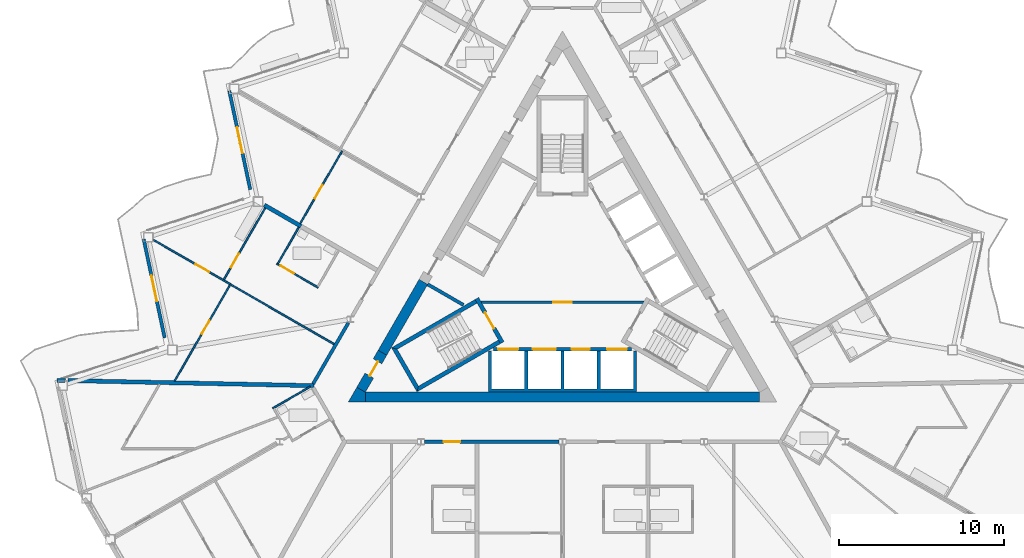
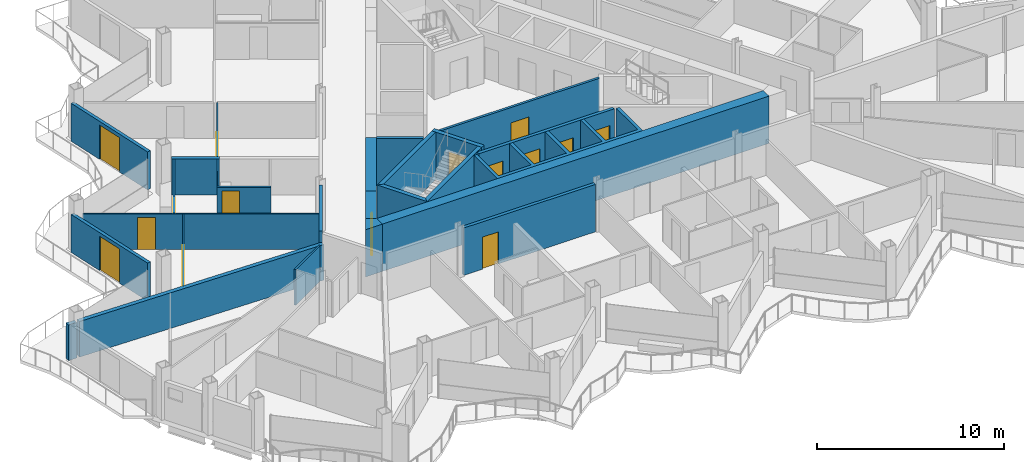
# One storey, part 14 of 27: 26 walls, 15 doors, 15 openings.
"""IFC4 building model written with IfcOpenShell, lengths in metres."""

from ifc_helpers import new_model, si_unit, direction, frame, frame_2d, origin, place, context, subcontext, project, spatial, polyline, rectangle, outline, extrude, material, layer, layer_set, type_object, element, fill, save


model = new_model("IFC4")

# Units and contexts
model_context = context("Model", 3, precision=1e-05, world=origin(), true_north=direction((0.0, 1.0)))
body_context = subcontext(model_context, "Body", "Model", "MODEL_VIEW")
ifc_project = project(units=[si_unit("LENGTHUNIT", "METRE"), si_unit("AREAUNIT", "SQUARE_METRE"), si_unit("VOLUMEUNIT", "CUBIC_METRE"), si_unit("PLANEANGLEUNIT", "RADIAN"), si_unit("MASSUNIT", "GRAM", prefix="KILO")], contexts=[model_context])

# Site, building, storey
site_placement = place(None, origin())
site = spatial("IfcSite", under=ifc_project, at=site_placement, CompositionType="ELEMENT")
building_placement = place(site_placement, origin())
building = spatial("IfcBuilding", under=site, at=building_placement, Name="Cormorant Prow Tower", CompositionType="ELEMENT")
storey_placement = place(building_placement, frame((0.0, 0.0, 312.0)))
storey = spatial("IfcBuildingStorey", under=building, at=storey_placement, Name="L68", CompositionType="ELEMENT", Elevation=312.0)

# Wall, opening, door
ifc_material_1 = material(Name="Gypsum board partition")
ifc_layer_1 = layer(ifc_material_1, 0.14990234375)
ifc_layer_set_1 = layer_set([ifc_layer_1], Name="Gypsum board partition")
wall_type_1 = type_object("IfcWallType", Name="Core partition 150", PredefinedType="PARTITIONING", material=ifc_layer_set_1)
wall_1_placement = place(storey_placement, frame((-4.941162109375, -1.449951171875, 0.0), z_axis=(0.0, 0.0, 1.0), x_axis=(1.0, 0.0, 0.0)))
wall_1 = element("IfcWall", 1, at=wall_1_placement, inside=storey, type_object=wall_type_1, Name="Firefighting lobby partition", PredefinedType="PARTITIONING", context=body_context, shape_type="SweptSolid", body=[
    extrude(rectangle(XDim=9.88232421875, YDim=0.14990234375, at=frame_2d((4.941162109375, 0.0))), origin(), (0.0, 0.0, 1.0), 3.10009765625),
])
opening_1_placement = place(wall_1_placement, frame((4.39111328125, 0.0, 0.0)))
opening_1 = element("IfcOpeningElement", 2, at=opening_1_placement, cuts=wall_1, Name="Opening L68-C11", PredefinedType="OPENING", context=body_context, shape_type="SweptSolid", body=[
    extrude(rectangle(XDim=1.10009765625, YDim=2.10009765625, at=frame_2d((0.550048828125, 1.050048828125))), frame((0.0, 0.0849609375, 0.0), z_axis=(0.0, -1.0, 0.0), x_axis=(1.0, 0.0, 0.0)), (0.0, 0.0, 1.0), 0.169921875),
])
ifc_material_2 = material(Name="Painted steel", Category="steel")
door_type_1 = type_object("IfcDoorType", Name="Firefighting lobby door 1100x2100", OperationType="NOTDEFINED", PredefinedType="DOOR", material=ifc_material_2)
door_1_placement = place(opening_1_placement, origin())
door_1 = element("IfcDoor", 3, at=door_1_placement, inside=storey, type_object=door_type_1, Name="Firefighting lobby door", OperationType="SINGLE_SWING_RIGHT", OverallHeight=2.10009765625, OverallWidth=1.10009765625, PredefinedType="DOOR", context=body_context, shape_type="SweptSolid", body=[
    extrude(rectangle(XDim=1.10009765625, YDim=2.10009765625, at=frame_2d((0.550048828125, 1.050048828125))), frame((0.0, 0.02490234375, 0.0), z_axis=(0.0, -1.0, 0.0), x_axis=(1.0, 0.0, 0.0)), (0.0, 0.0, 1.0), 0.050048828125),
])
fill(opening_1, door_1)

# Walls
ifc_material_3 = material(Name="Concrete 8000 psi", Category="concrete")
ifc_layer_2 = layer(ifc_material_3, 0.60009765625)
ifc_layer_set_2 = layer_set([ifc_layer_2], Name="Concrete 8000 psi")
wall_type_2 = type_object("IfcWallType", Name="Core shear wall 600", PredefinedType="SHEAR", material=ifc_layer_set_2)
wall_2_placement = place(storey_placement, frame((-11.960693359375, -7.20556640625, 0.0), z_axis=(0.0, 0.0, 1.0), x_axis=(1.0, 0.0, 0.0)))
element("IfcWall", 4, at=wall_2_placement, inside=storey, type_object=wall_type_2, Name="Core wall", PredefinedType="SHEAR", context=body_context, shape_type="SweptSolid", body=[
    extrude(rectangle(XDim=23.92138671875, YDim=0.60009765625, at=frame_2d((11.960693359375, 0.0))), origin(), (0.0, 0.0, 1.0), 3.10009765625),
])
wall_3_placement = place(storey_placement, frame((-8.440185546875, -0.207763671875, 0.0), z_axis=(0.0, 0.0, 1.0), x_axis=(-0.500007425856, -0.866021116422, 0.0)))
element("IfcWall", 5, at=wall_3_placement, inside=storey, type_object=wall_type_2, Name="Core wall", PredefinedType="SHEAR", context=body_context, shape_type="SweptSolid", body=[
    extrude(rectangle(XDim=4.96875, YDim=0.60009765625, at=frame_2d((2.484375, 0.0))), origin(), (0.0, 0.0, 1.0), 3.10009765625),
])
wall_4_placement = place(storey_placement, origin())
element("IfcWall", 6, at=wall_4_placement, inside=storey, type_object=wall_type_2, Name="Core wall corner", PredefinedType="SHEAR", context=body_context, shape_type="SweptSolid", body=[
    extrude(outline(polyline([(-12.48046875, -6.605712890625), (-11.960693359375, -6.905517578125), (-11.960693359375, -7.505615234375), (-13.0, -7.505615234375), (-12.48046875, -6.605712890625)])), origin(), (0.0, 0.0, 1.0), 3.10009765625),
])

# Wall, opening, door
wall_5_placement = place(storey_placement, frame((-10.924560546875, -4.5107421875, 0.0), z_axis=(0.0, 0.0, 1.0), x_axis=(-0.500018667571, -0.866014625789, 0.0)))
wall_5 = element("IfcWall", 7, at=wall_5_placement, inside=storey, type_object=wall_type_2, Name="Core wall door panel", PredefinedType="SHEAR", context=body_context, shape_type="SweptSolid", body=[
    extrude(rectangle(XDim=2.59228515625, YDim=0.60009765625, at=frame_2d((1.296142578125, 0.0))), origin(), (0.0, 0.0, 1.0), 3.10009765625),
])
opening_2_placement = place(wall_5_placement, frame((0.60009765625, 0.0, 0.0)))
opening_2 = element("IfcOpeningElement", 8, at=opening_2_placement, cuts=wall_5, Name="Opening L68-C15", PredefinedType="OPENING", context=body_context, shape_type="SweptSolid", body=[
    extrude(rectangle(XDim=1.0, YDim=2.10009765625, at=frame_2d((0.5, 1.050048828125))), frame((0.0, 0.31005859375, 0.0), z_axis=(0.0, -1.0, 0.0), x_axis=(1.0, 0.0, 0.0)), (0.0, 0.0, 1.0), 0.6201171875),
])
ifc_material_4 = material(Name="Painted steel", Category="steel")
door_type_2 = type_object("IfcDoorType", Name="Service door 1000x2100", OperationType="NOTDEFINED", PredefinedType="DOOR", material=ifc_material_4)
door_2_placement = place(opening_2_placement, origin())
door_2 = element("IfcDoor", 9, at=door_2_placement, inside=storey, type_object=door_type_2, Name="Core door, Electrical room", OperationType="SINGLE_SWING_RIGHT", OverallHeight=2.10009765625, OverallWidth=1.0, PredefinedType="DOOR", context=body_context, shape_type="SweptSolid", body=[
    extrude(rectangle(XDim=1.0, YDim=2.10009765625, at=frame_2d((0.5, 1.050048828125))), frame((0.0, 0.05517578125, 0.0), z_axis=(0.0, -1.0, 0.0), x_axis=(1.0, 0.0, 0.0)), (0.0, 0.0, 1.0), 0.050048828125),
])
fill(opening_2, door_2)

ifc_material_5 = material(Name="Gypsum board corridor wall")
ifc_layer_3 = layer(ifc_material_5, 0.199951171875)
ifc_layer_set_3 = layer_set([ifc_layer_3], Name="Gypsum board corridor wall")
wall_type_3 = type_object("IfcWallType", Name="Corridor wall 200", PredefinedType="PARTITIONING", material=ifc_layer_set_3)
wall_6_placement = place(storey_placement, frame((-8.370849609375, -9.905517578125, 0.0), z_axis=(0.0, 0.0, 1.0), x_axis=(1.0, 0.0, 0.0)))
wall_6 = element("IfcWall", 10, at=wall_6_placement, inside=storey, type_object=wall_type_3, Name="Corridor wall", PredefinedType="PARTITIONING", context=body_context, shape_type="SweptSolid", body=[
    extrude(rectangle(XDim=8.1630859375, YDim=0.199951171875, at=frame_2d((4.08154296875, 0.0))), origin(), (0.0, 0.0, 1.0), 3.10009765625),
])
opening_3_placement = place(wall_6_placement, frame((1.15869140625, 0.0, 0.0)))
opening_3 = element("IfcOpeningElement", 11, at=opening_3_placement, cuts=wall_6, Name="Opening L68-F01", PredefinedType="OPENING", context=body_context, shape_type="SweptSolid", body=[
    extrude(rectangle(XDim=1.0, YDim=2.10009765625, at=frame_2d((0.5, 1.050048828125))), frame((0.0, 0.10986328125, 0.0), z_axis=(0.0, -1.0, 0.0), x_axis=(1.0, 0.0, 0.0)), (0.0, 0.0, 1.0), 0.219970703125),
])
ifc_material_6 = material(Name="Timber door leaf", Category="wood")
door_type_3 = type_object("IfcDoorType", Name="Flat or room entrance door 1000x2100", OperationType="NOTDEFINED", PredefinedType="DOOR", material=ifc_material_6)
door_3_placement = place(opening_3_placement, origin())
door_3 = element("IfcDoor", 12, at=door_3_placement, inside=storey, type_object=door_type_3, Name="Living room door", OperationType="SINGLE_SWING_RIGHT", OverallHeight=2.10009765625, OverallWidth=1.0, PredefinedType="DOOR", context=body_context, shape_type="SweptSolid", body=[
    extrude(rectangle(XDim=1.0, YDim=2.10009765625, at=frame_2d((0.5, 1.050048828125))), frame((0.0, 0.02490234375, 0.0), z_axis=(0.0, -1.0, 0.0), x_axis=(1.0, 0.0, 0.0)), (0.0, 0.0, 1.0), 0.050048828125),
])
fill(opening_3, door_3)

# Wall
wall_7_placement = place(storey_placement, frame((-15.13134765625, -6.397216796875, 0.0), z_axis=(0.0, 0.0, 1.0), x_axis=(0.500003406062, 0.866023437285, 0.0)))
element("IfcWall", 13, at=wall_7_placement, inside=storey, type_object=wall_type_3, Name="Corridor wall", PredefinedType="PARTITIONING", context=body_context, shape_type="SweptSolid", body=[
    extrude(rectangle(XDim=4.28759765625, YDim=0.199951171875, at=frame_2d((2.143798828125, 0.0))), origin(), (0.0, 0.0, 1.0), 3.10009765625),
])

# Wall, opening, door
ifc_material_7 = material(Name="Gypsum board partition")
ifc_layer_4 = layer(ifc_material_7, 0.10009765625)
ifc_layer_set_4 = layer_set([ifc_layer_4], Name="Gypsum board partition")
wall_type_4 = type_object("IfcWallType", Name="Internal partition 100", PredefinedType="PARTITIONING", material=ifc_layer_set_4)
wall_8_placement = place(storey_placement, frame((-24.814697265625, 2.33447265625, 0.0), z_axis=(0.0, 0.0, 1.0), x_axis=(0.866024591023, -0.500001407741, 0.0)))
wall_8 = element("IfcWall", 14, at=wall_8_placement, inside=storey, type_object=wall_type_4, Name="Internal partition", PredefinedType="PARTITIONING", context=body_context, shape_type="SweptSolid", body=[
    extrude(rectangle(XDim=12.65185546875, YDim=0.10009765625, at=frame_2d((6.325927734375, 0.0))), origin(), (0.0, 0.0, 1.0), 2.330078125),
])
opening_4_placement = place(wall_8_placement, frame((2.950439453125, 0.0, 0.0)))
opening_4 = element("IfcOpeningElement", 15, at=opening_4_placement, cuts=wall_8, Name="Opening L68-F46", PredefinedType="OPENING", context=body_context, shape_type="SweptSolid", body=[
    extrude(rectangle(XDim=0.949951171875, YDim=2.10009765625, at=frame_2d((0.47509765625, 1.050048828125))), frame((0.0, 0.06005859375, 0.0), z_axis=(0.0, -1.0, 0.0), x_axis=(1.0, 0.0, 0.0)), (0.0, 0.0, 1.0), 0.1201171875),
])
ifc_material_8 = material(Name="Timber door leaf", Category="wood")
door_type_4 = type_object("IfcDoorType", Name="Bathroom door 950x2100", OperationType="NOTDEFINED", PredefinedType="DOOR", material=ifc_material_8)
door_4_placement = place(opening_4_placement, origin())
door_4 = element("IfcDoor", 16, at=door_4_placement, inside=storey, type_object=door_type_4, Name="Kitchen door", OperationType="SINGLE_SWING_RIGHT", OverallHeight=2.10009765625, OverallWidth=0.949951171875, PredefinedType="DOOR", context=body_context, shape_type="SweptSolid", body=[
    extrude(rectangle(XDim=0.949951171875, YDim=2.10009765625, at=frame_2d((0.47509765625, 1.050048828125))), frame((0.0, 0.02490234375, 0.0), z_axis=(0.0, -1.0, 0.0), x_axis=(1.0, 0.0, 0.0)), (0.0, 0.0, 1.0), 0.050048828125),
])
fill(opening_4, door_4)

wall_9_placement = place(storey_placement, frame((-23.5361328125, -6.2236328125, 0.0), z_axis=(0.0, 0.0, 1.0), x_axis=(0.500002256251, 0.866024101133, 0.0)))
wall_9 = element("IfcWall", 17, at=wall_9_placement, inside=storey, type_object=wall_type_4, Name="Internal partition", PredefinedType="PARTITIONING", context=body_context, shape_type="SweptSolid", body=[
    extrude(rectangle(XDim=6.72216796875, YDim=0.10009765625, at=frame_2d((3.361083984375, 0.0))), origin(), (0.0, 0.0, 1.0), 2.330078125),
])
opening_5_placement = place(wall_9_placement, frame((3.291748046875, 0.0, 0.0)))
opening_5 = element("IfcOpeningElement", 18, at=opening_5_placement, cuts=wall_9, Name="Opening L68-F47", PredefinedType="OPENING", context=body_context, shape_type="SweptSolid", body=[
    extrude(rectangle(XDim=0.949951171875, YDim=2.10009765625, at=frame_2d((0.47509765625, 1.050048828125))), frame((0.0, 0.06005859375, 0.0), z_axis=(0.0, -1.0, 0.0), x_axis=(1.0, 0.0, 0.0)), (0.0, 0.0, 1.0), 0.1201171875),
])
door_5_placement = place(opening_5_placement, origin())
door_5 = element("IfcDoor", 19, at=door_5_placement, inside=storey, type_object=door_type_4, Name="Bedroom door", OperationType="SINGLE_SWING_LEFT", OverallHeight=2.10009765625, OverallWidth=0.949951171875, PredefinedType="DOOR", context=body_context, shape_type="SweptSolid", body=[
    extrude(rectangle(XDim=0.949951171875, YDim=2.10009765625, at=frame_2d((0.47509765625, 1.050048828125))), frame((0.0, 0.02490234375, 0.0), z_axis=(0.0, -1.0, 0.0), x_axis=(1.0, 0.0, 0.0)), (0.0, 0.0, 1.0), 0.050048828125),
])
fill(opening_5, door_5)

wall_10_placement = place(storey_placement, frame((-15.91162109375, 3.334716796875, 0.0), z_axis=(0.0, 0.0, 1.0), x_axis=(0.49999906822, 0.866025941747, 0.0)))
wall_10 = element("IfcWall", 20, at=wall_10_placement, inside=storey, type_object=wall_type_4, Name="Internal partition", PredefinedType="PARTITIONING", context=body_context, shape_type="SweptSolid", body=[
    extrude(rectangle(XDim=5.06787109375, YDim=0.10009765625, at=frame_2d((2.533935546875, 0.0))), origin(), (0.0, 0.0, 1.0), 2.330078125),
])
opening_6_placement = place(wall_10_placement, frame((1.75732421875, 0.0, 0.0)))
opening_6 = element("IfcOpeningElement", 21, at=opening_6_placement, cuts=wall_10, Name="Opening L68-F41", PredefinedType="OPENING", context=body_context, shape_type="SweptSolid", body=[
    extrude(rectangle(XDim=0.949951171875, YDim=2.10009765625, at=frame_2d((0.47509765625, 1.050048828125))), frame((0.0, 0.06005859375, 0.0), z_axis=(0.0, -1.0, 0.0), x_axis=(1.0, 0.0, 0.0)), (0.0, 0.0, 1.0), 0.1201171875),
])
door_6_placement = place(opening_6_placement, origin())
door_6 = element("IfcDoor", 22, at=door_6_placement, inside=storey, type_object=door_type_4, Name="Bedroom door", OperationType="SINGLE_SWING_RIGHT", OverallHeight=2.10009765625, OverallWidth=0.949951171875, PredefinedType="DOOR", context=body_context, shape_type="SweptSolid", body=[
    extrude(rectangle(XDim=0.949951171875, YDim=2.10009765625, at=frame_2d((0.47509765625, 1.050048828125))), frame((0.0, 0.02490234375, 0.0), z_axis=(0.0, -1.0, 0.0), x_axis=(1.0, 0.0, 0.0)), (0.0, 0.0, 1.0), 0.050048828125),
])
fill(opening_6, door_6)

wall_11_placement = place(storey_placement, frame((-20.546630859375, -0.072021484375, 0.0), z_axis=(0.0, 0.0, 1.0), x_axis=(0.499969537666, 0.866042990507, 0.0)))
wall_11 = element("IfcWall", 23, at=wall_11_placement, inside=storey, type_object=wall_type_4, Name="Internal partition", PredefinedType="PARTITIONING", context=body_context, shape_type="SweptSolid", body=[
    extrude(rectangle(XDim=5.017822265625, YDim=0.10009765625, at=frame_2d((2.5087890625, 0.0))), origin(), (0.0, 0.0, 1.0), 2.330078125),
])
opening_7_placement = place(wall_11_placement, frame((0.861572265625, 0.0, 0.0)))
opening_7 = element("IfcOpeningElement", 24, at=opening_7_placement, cuts=wall_11, Name="Opening L68-F45", PredefinedType="OPENING", context=body_context, shape_type="SweptSolid", body=[
    extrude(rectangle(XDim=0.949951171875, YDim=2.10009765625, at=frame_2d((0.47509765625, 1.050048828125))), frame((0.0, 0.06005859375, 0.0), z_axis=(0.0, -1.0, 0.0), x_axis=(1.0, 0.0, 0.0)), (0.0, 0.0, 1.0), 0.1201171875),
])
door_7_placement = place(opening_7_placement, origin())
door_7 = element("IfcDoor", 25, at=door_7_placement, inside=storey, type_object=door_type_4, Name="Living room door", OperationType="SINGLE_SWING_LEFT", OverallHeight=2.10009765625, OverallWidth=0.949951171875, PredefinedType="DOOR", context=body_context, shape_type="SweptSolid", body=[
    extrude(rectangle(XDim=0.949951171875, YDim=2.10009765625, at=frame_2d((0.47509765625, 1.050048828125))), frame((0.0, 0.02490234375, 0.0), z_axis=(0.0, -1.0, 0.0), x_axis=(1.0, 0.0, 0.0)), (0.0, 0.0, 1.0), 0.050048828125),
])
fill(opening_7, door_7)

wall_12_placement = place(storey_placement, frame((-17.331298828125, 0.892333984375, 0.0), z_axis=(0.0, 0.0, 1.0), x_axis=(0.866032775405, -0.499987231761, 0.0)))
wall_12 = element("IfcWall", 26, at=wall_12_placement, inside=storey, type_object=wall_type_4, Name="Internal partition", PredefinedType="PARTITIONING", context=body_context, shape_type="SweptSolid", body=[
    extrude(rectangle(XDim=2.89990234375, YDim=0.10009765625, at=frame_2d((1.449951171875, 0.0))), origin(), (0.0, 0.0, 1.0), 2.330078125),
])
opening_8_placement = place(wall_12_placement, frame((0.25, 0.0, 0.0)))
opening_8 = element("IfcOpeningElement", 27, at=opening_8_placement, cuts=wall_12, Name="Opening L68-F44", PredefinedType="OPENING", context=body_context, shape_type="SweptSolid", body=[
    extrude(rectangle(XDim=0.949951171875, YDim=2.10009765625, at=frame_2d((0.47509765625, 1.050048828125))), frame((0.0, 0.06005859375, 0.0), z_axis=(0.0, -1.0, 0.0), x_axis=(1.0, 0.0, 0.0)), (0.0, 0.0, 1.0), 0.1201171875),
])
door_8_placement = place(opening_8_placement, origin())
door_8 = element("IfcDoor", 28, at=door_8_placement, inside=storey, type_object=door_type_4, Name="Living room door", OperationType="SINGLE_SWING_LEFT", OverallHeight=2.10009765625, OverallWidth=0.949951171875, PredefinedType="DOOR", context=body_context, shape_type="SweptSolid", body=[
    extrude(rectangle(XDim=0.949951171875, YDim=2.10009765625, at=frame_2d((0.47509765625, 1.050048828125))), frame((0.0, 0.02490234375, 0.0), z_axis=(0.0, -1.0, 0.0), x_axis=(1.0, 0.0, 0.0)), (0.0, 0.0, 1.0), 0.050048828125),
])
fill(opening_8, door_8)

# Walls
wall_13_placement = place(storey_placement, frame((-17.262939453125, 0.91064453125, 0.0), z_axis=(0.0, 0.0, 1.0), x_axis=(0.499976333282, 0.866039067339, 0.0)))
element("IfcWall", 29, at=wall_13_placement, inside=storey, type_object=wall_type_4, Name="Internal partition", PredefinedType="PARTITIONING", context=body_context, shape_type="SweptSolid", body=[
    extrude(rectangle(XDim=2.52490234375, YDim=0.10009765625, at=frame_2d((1.262451171875, 0.0))), origin(), (0.0, 0.0, 1.0), 2.330078125),
])
wall_14_placement = place(storey_placement, frame((-17.575439453125, -7.880615234375, 0.0), z_axis=(0.0, 0.0, 1.0), x_axis=(0.866013657776, 0.500020344131, 0.0)))
element("IfcWall", 30, at=wall_14_placement, inside=storey, type_object=wall_type_4, Name="Internal partition", PredefinedType="PARTITIONING", context=body_context, shape_type="SweptSolid", body=[
    extrude(rectangle(XDim=2.625, YDim=0.10009765625, at=frame_2d((1.3125, 0.0))), origin(), (0.0, 0.0, 1.0), 2.330078125),
])

# Wall, openings, doors
ifc_material_9 = material(Name="Concrete 5000 psi", Category="concrete")
ifc_layer_5 = layer(ifc_material_9, 0.199951171875)
ifc_layer_set_5 = layer_set([ifc_layer_5], Name="Concrete 5000 psi")
wall_type_5 = type_object("IfcWallType", Name="Lift lobby wall 200", PredefinedType="SOLIDWALL", material=ifc_layer_set_5)
wall_15_placement = place(storey_placement, frame((-4.1865234375, -4.300048828125, 0.0), z_axis=(0.0, 0.0, 1.0), x_axis=(1.0, 0.0, 0.0)))
wall_15 = element("IfcWall", 31, at=wall_15_placement, inside=storey, type_object=wall_type_5, Name="Lift lobby wall, S block", PredefinedType="SOLIDWALL", context=body_context, shape_type="SweptSolid", body=[
    extrude(rectangle(XDim=8.373046875, YDim=0.199951171875, at=frame_2d((4.1865234375, 0.0))), origin(), (0.0, 0.0, 1.0), 3.10009765625),
])
opening_9_placement = place(wall_15_placement, frame((0.28662109375, 0.0, 0.0)))
opening_9 = element("IfcOpeningElement", 32, at=opening_9_placement, cuts=wall_15, Name="Opening L68-C01", PredefinedType="OPENING", context=body_context, shape_type="SweptSolid", body=[
    extrude(rectangle(XDim=1.199951171875, YDim=2.10009765625, at=frame_2d((0.60009765625, 1.050048828125))), frame((0.0, 0.10986328125, 0.0), z_axis=(0.0, -1.0, 0.0), x_axis=(1.0, 0.0, 0.0)), (0.0, 0.0, 1.0), 0.219970703125),
])
opening_10_placement = place(wall_15_placement, frame((2.38671875, 0.0, 0.0)))
opening_10 = element("IfcOpeningElement", 33, at=opening_10_placement, cuts=wall_15, Name="Opening L68-C02", PredefinedType="OPENING", context=body_context, shape_type="SweptSolid", body=[
    extrude(rectangle(XDim=1.39990234375, YDim=2.10009765625, at=frame_2d((0.699951171875, 1.050048828125))), frame((0.0, 0.10986328125, 0.0), z_axis=(0.0, -1.0, 0.0), x_axis=(1.0, 0.0, 0.0)), (0.0, 0.0, 1.0), 0.219970703125),
])
opening_11_placement = place(wall_15_placement, frame((4.736572265625, 0.0, 0.0)))
opening_11 = element("IfcOpeningElement", 34, at=opening_11_placement, cuts=wall_15, Name="Opening L68-C03", PredefinedType="OPENING", context=body_context, shape_type="SweptSolid", body=[
    extrude(rectangle(XDim=1.10009765625, YDim=2.10009765625, at=frame_2d((0.550048828125, 1.050048828125))), frame((0.0, 0.10986328125, 0.0), z_axis=(0.0, -1.0, 0.0), x_axis=(1.0, 0.0, 0.0)), (0.0, 0.0, 1.0), 0.219970703125),
])
opening_12_placement = place(wall_15_placement, frame((6.88671875, 0.0, 0.0)))
opening_12 = element("IfcOpeningElement", 35, at=opening_12_placement, cuts=wall_15, Name="Opening L68-C04", PredefinedType="OPENING", context=body_context, shape_type="SweptSolid", body=[
    extrude(rectangle(XDim=1.199951171875, YDim=2.10009765625, at=frame_2d((0.60009765625, 1.050048828125))), frame((0.0, 0.10986328125, 0.0), z_axis=(0.0, -1.0, 0.0), x_axis=(1.0, 0.0, 0.0)), (0.0, 0.0, 1.0), 0.219970703125),
])
ifc_material_10 = material(Name="Painted steel", Category="steel")
door_type_5 = type_object("IfcDoorType", Name="Firefighting lift landing door 1200x2100", OperationType="SLIDING_TO_LEFT", PredefinedType="DOOR", material=ifc_material_10)
door_9_placement = place(opening_9_placement, origin())
door_9 = element("IfcDoor", 36, at=door_9_placement, inside=storey, type_object=door_type_5, Name="Landing door FL1", OperationType="SLIDING_TO_LEFT", OverallHeight=2.10009765625, OverallWidth=1.199951171875, PredefinedType="DOOR", context=body_context, shape_type="SweptSolid", body=[
    extrude(rectangle(XDim=1.199951171875, YDim=2.10009765625, at=frame_2d((0.60009765625, 1.050048828125))), frame((0.0, 0.02490234375, 0.0), z_axis=(0.0, -1.0, 0.0), x_axis=(1.0, 0.0, 0.0)), (0.0, 0.0, 1.0), 0.050048828125),
])
fill(opening_9, door_9)
door_10_placement = place(opening_12_placement, origin())
door_10 = element("IfcDoor", 37, at=door_10_placement, inside=storey, type_object=door_type_5, Name="Landing door FL2", OperationType="SLIDING_TO_LEFT", OverallHeight=2.10009765625, OverallWidth=1.199951171875, PredefinedType="DOOR", context=body_context, shape_type="SweptSolid", body=[
    extrude(rectangle(XDim=1.199951171875, YDim=2.10009765625, at=frame_2d((0.60009765625, 1.050048828125))), frame((0.0, 0.02490234375, 0.0), z_axis=(0.0, -1.0, 0.0), x_axis=(1.0, 0.0, 0.0)), (0.0, 0.0, 1.0), 0.050048828125),
])
fill(opening_12, door_10)
ifc_material_11 = material(Name="Painted steel", Category="steel")
door_type_6 = type_object("IfcDoorType", Name="Lift landing door 1100x2100", OperationType="SLIDING_TO_LEFT", PredefinedType="DOOR", material=ifc_material_11)
door_11_placement = place(opening_11_placement, origin())
door_11 = element("IfcDoor", 38, at=door_11_placement, inside=storey, type_object=door_type_6, Name="Landing door HR1", OperationType="SLIDING_TO_LEFT", OverallHeight=2.10009765625, OverallWidth=1.10009765625, PredefinedType="DOOR", context=body_context, shape_type="SweptSolid", body=[
    extrude(rectangle(XDim=1.10009765625, YDim=2.10009765625, at=frame_2d((0.550048828125, 1.050048828125))), frame((0.0, 0.02490234375, 0.0), z_axis=(0.0, -1.0, 0.0), x_axis=(1.0, 0.0, 0.0)), (0.0, 0.0, 1.0), 0.050048828125),
])
fill(opening_11, door_11)
ifc_material_12 = material(Name="Painted steel", Category="steel")
door_type_7 = type_object("IfcDoorType", Name="Service lift landing door 1400x2100", OperationType="SLIDING_TO_LEFT", PredefinedType="DOOR", material=ifc_material_12)
door_12_placement = place(opening_10_placement, origin())
door_12 = element("IfcDoor", 39, at=door_12_placement, inside=storey, type_object=door_type_7, Name="Landing door SL1", OperationType="SLIDING_TO_LEFT", OverallHeight=2.10009765625, OverallWidth=1.39990234375, PredefinedType="DOOR", context=body_context, shape_type="SweptSolid", body=[
    extrude(rectangle(XDim=1.39990234375, YDim=2.10009765625, at=frame_2d((0.699951171875, 1.050048828125))), frame((0.0, 0.02490234375, 0.0), z_axis=(0.0, -1.0, 0.0), x_axis=(1.0, 0.0, 0.0)), (0.0, 0.0, 1.0), 0.050048828125),
])
fill(opening_10, door_12)

# Walls
ifc_material_13 = material(Name="Concrete 8000 psi", Category="concrete")
ifc_layer_6 = layer(ifc_material_13, 0.199951171875)
ifc_layer_set_6 = layer_set([ifc_layer_6], Name="Concrete 8000 psi")
wall_type_6 = type_object("IfcWallType", Name="Lift shaft wall 200", PredefinedType="SHEAR", material=ifc_layer_set_6)
wall_16_placement = place(storey_placement, origin())
element("IfcWall", 40, at=wall_16_placement, inside=storey, type_object=wall_type_6, Name="Lift shaft walls, S block", PredefinedType="SHEAR", context=body_context, shape_type="SweptSolid", body=[
    extrude(outline(polyline([(4.5, -4.39990234375), (4.5, -6.906005859375), (-4.5, -6.906005859375), (-4.5, -4.39990234375), (-4.300048828125, -4.39990234375), (-4.300048828125, -6.699951171875), (-2.300048828125, -6.699951171875), (-2.300048828125, -4.39990234375), (-2.10009765625, -4.39990234375), (-2.10009765625, -6.699951171875), (-0.10009765625, -6.699951171875), (-0.10009765625, -4.39990234375), (0.10009765625, -4.39990234375), (0.10009765625, -6.699951171875), (2.10009765625, -6.699951171875), (2.10009765625, -4.39990234375), (2.300048828125, -4.39990234375), (2.300048828125, -6.699951171875), (4.300048828125, -6.699951171875), (4.300048828125, -4.39990234375), (4.5, -4.39990234375)])), origin(), (0.0, 0.0, 1.0), 3.10009765625),
])
wall_17_placement = place(storey_placement, origin())
element("IfcWall", 41, at=wall_17_placement, inside=storey, type_object=wall_type_6, Name="Lift shaft walls, WNW block", PredefinedType="SHEAR", context=body_context, shape_type="SweptSolid", body=[
    extrude(outline(polyline([(-6.060546875, -1.697021484375), (-8.230712890625, -0.444091796875), (-8.130859375, -0.27099609375), (-5.96044921875, -1.52392578125), (-6.060546875, -1.697021484375)])), origin(), (0.0, 0.0, 1.0), 3.10009765625),
])
ifc_material_14 = material(Name="Concrete 8000 psi", Category="concrete")
ifc_layer_7 = layer(ifc_material_14, 0.25)
ifc_layer_set_7 = layer_set([ifc_layer_7], Name="Concrete 8000 psi")
wall_type_7 = type_object("IfcWallType", Name="Stair wall 250", PredefinedType="SHEAR", material=ifc_layer_set_7)
wall_18_placement = place(storey_placement, origin())
element("IfcWall", 42, at=wall_18_placement, inside=storey, type_object=wall_type_7, Name="Stair ST1 enclosure wall (flank)", PredefinedType="SHEAR", context=body_context, shape_type="SweptSolid", body=[
    extrude(outline(polyline([(-5.30712890625, -1.28125), (-10.37353515625, -4.206298828125), (-10.031982421875, -4.2978515625), (-5.18212890625, -1.497802734375), (-5.30712890625, -1.28125)])), origin(), (0.0, 0.0, 1.0), 3.10009765625),
])
wall_19_placement = place(storey_placement, origin())
element("IfcWall", 43, at=wall_19_placement, inside=storey, type_object=wall_type_7, Name="Stair ST1 enclosure wall (end)", PredefinedType="SHEAR", context=body_context, shape_type="SweptSolid", body=[
    extrude(outline(polyline([(-10.37353515625, -4.206298828125), (-8.82958984375, -6.880615234375), (-8.738037109375, -6.5390625), (-10.031982421875, -4.2978515625), (-10.37353515625, -4.206298828125)])), origin(), (0.0, 0.0, 1.0), 3.10009765625),
])
wall_20_placement = place(storey_placement, origin())
element("IfcWall", 44, at=wall_20_placement, inside=storey, type_object=wall_type_7, Name="Stair ST1 enclosure wall (flank)", PredefinedType="SHEAR", context=body_context, shape_type="SweptSolid", body=[
    extrude(outline(polyline([(-8.738037109375, -6.5390625), (-8.82958984375, -6.880615234375), (-3.76318359375, -3.95556640625), (-3.88818359375, -3.739013671875), (-8.738037109375, -6.5390625)])), origin(), (0.0, 0.0, 1.0), 3.10009765625),
])

# Wall, opening, door
wall_21_placement = place(storey_placement, frame((-5.198974609375, -1.21875, 0.0), z_axis=(0.0, 0.0, 1.0), x_axis=(0.499982516597, -0.866035497597, 0.0)))
wall_21 = element("IfcWall", 45, at=wall_21_placement, inside=storey, type_object=wall_type_7, Name="Stair ST1 door wall", PredefinedType="SHEAR", context=body_context, shape_type="SweptSolid", body=[
    extrude(rectangle(XDim=3.087890625, YDim=0.25, at=frame_2d((1.5439453125, 0.0))), origin(), (0.0, 0.0, 1.0), 3.10009765625),
])
opening_13_placement = place(wall_21_placement, frame((0.993896484375, 0.0, 0.0)))
opening_13 = element("IfcOpeningElement", 46, at=opening_13_placement, cuts=wall_21, Name="Opening L68-C12", PredefinedType="OPENING", context=body_context, shape_type="SweptSolid", body=[
    extrude(rectangle(XDim=1.10009765625, YDim=2.10009765625, at=frame_2d((0.550048828125, 1.050048828125))), frame((0.0, 0.135009765625, 0.0), z_axis=(0.0, -1.0, 0.0), x_axis=(1.0, 0.0, 0.0)), (0.0, 0.0, 1.0), 0.27001953125),
])
ifc_material_15 = material(Name="Painted steel", Category="steel")
door_type_8 = type_object("IfcDoorType", Name="Stair door 1100x2100", OperationType="NOTDEFINED", PredefinedType="DOOR", material=ifc_material_15)
door_13_placement = place(opening_13_placement, origin())
door_13 = element("IfcDoor", 47, at=door_13_placement, inside=storey, type_object=door_type_8, Name="Stair ST1 door", OperationType="SINGLE_SWING_LEFT", OverallHeight=2.10009765625, OverallWidth=1.10009765625, PredefinedType="DOOR", context=body_context, shape_type="SweptSolid", body=[
    extrude(rectangle(XDim=1.10009765625, YDim=2.10009765625, at=frame_2d((0.550048828125, 1.050048828125))), frame((0.0, 0.02490234375, 0.0), z_axis=(0.0, -1.0, 0.0), x_axis=(1.0, 0.0, 0.0)), (0.0, 0.0, 1.0), 0.050048828125),
])
fill(opening_13, door_13)

# Walls
ifc_material_16 = material(Name="Acoustic gypsum party wall")
ifc_layer_8 = layer(ifc_material_16, 0.25)
ifc_layer_set_8 = layer_set([ifc_layer_8], Name="Acoustic gypsum party wall")
wall_type_8 = type_object("IfcWallType", Name="Suite party wall 250", PredefinedType="PARTITIONING", material=ifc_layer_set_8)
wall_22_placement = place(storey_placement, frame((-30.016357421875, -6.19921875, 0.0), z_axis=(0.0, 0.0, 1.0), x_axis=(0.999786619639, -0.02065708573, 0.0)))
element("IfcWall", 48, at=wall_22_placement, inside=storey, type_object=wall_type_8, Name="Suite party wall", PredefinedType="PARTITIONING", context=body_context, shape_type="SweptSolid", body=[
    extrude(rectangle(XDim=14.95068359375, YDim=0.25, at=frame_2d((7.475341796875, 0.0))), origin(), (0.0, 0.0, 1.0), 2.330078125),
])
wall_23_placement = place(storey_placement, frame((-18.09228515625, 4.449462890625, 0.0), z_axis=(0.0, 0.0, 1.0), x_axis=(0.866043267704, -0.499969057507, 0.0)))
element("IfcWall", 49, at=wall_23_placement, inside=storey, type_object=wall_type_8, Name="Suite party wall", PredefinedType="PARTITIONING", context=body_context, shape_type="SweptSolid", body=[
    extrude(rectangle(XDim=2.571044921875, YDim=0.25, at=frame_2d((1.28564453125, 0.0))), origin(), (0.0, 0.0, 1.0), 2.330078125),
])
wall_24_placement = place(storey_placement, frame((-30.6806640625, -6.185546875, 0.0), z_axis=(0.0, 0.0, 1.0), x_axis=(0.999788216533, -0.020579652135, 0.0)))
element("IfcWall", 50, at=wall_24_placement, inside=storey, type_object=wall_type_8, Name="Suite party wall", PredefinedType="PARTITIONING", context=body_context, shape_type="SweptSolid", body=[
    extrude(rectangle(XDim=0.510009765625, YDim=0.25, at=frame_2d((0.2548828125, 0.0))), origin(), (0.0, 0.0, 1.0), 2.330078125),
])

# Wall, opening, door
ifc_material_17 = material(Name="Terracotta", Category="masonry")
ifc_layer_9 = layer(ifc_material_17, 0.199951171875)
ifc_layer_set_9 = layer_set([ifc_layer_9], Name="Terracotta")
wall_type_9 = type_object("IfcWallType", Name="Terracotta jamb wall 200", PredefinedType="SOLIDWALL", material=ifc_layer_set_9)
wall_25_placement = place(storey_placement, frame((-20.21728515625, 11.37744140625, 0.0), z_axis=(0.0, 0.0, 1.0), x_axis=(0.207885951908, -0.978153071354, 0.0)))
wall_25 = element("IfcWall", 51, at=wall_25_placement, inside=storey, type_object=wall_type_9, Name="Terracotta jamb wall WNW05", PredefinedType="SOLIDWALL", context=body_context, shape_type="SweptSolid", body=[
    extrude(rectangle(XDim=6.119873046875, YDim=0.199951171875, at=frame_2d((3.06005859375, 0.0))), origin(), (0.0, 0.0, 1.0), 2.48779296875),
])
opening_14_placement = place(wall_25_placement, frame((2.259765625, 0.0, 0.0)))
opening_14 = element("IfcOpeningElement", 52, at=opening_14_placement, cuts=wall_25, Name="Opening ED68.13", PredefinedType="OPENING", context=body_context, shape_type="SweptSolid", body=[
    extrude(rectangle(XDim=1.60009765625, YDim=2.25, at=frame_2d((0.800048828125, 1.125))), frame((0.0, 0.10986328125, 0.0), z_axis=(0.0, -1.0, 0.0), x_axis=(1.0, 0.0, 0.0)), (0.0, 0.0, 1.0), 0.219970703125),
])
ifc_material_18 = material(Name="Aluminium 6063-T6", Category="aluminium")
door_type_9 = type_object("IfcDoorType", Name="Balcony door 1600x2250", OperationType="DOUBLE_DOOR_SINGLE_SWING", PredefinedType="DOOR", material=ifc_material_18)
door_14_placement = place(opening_14_placement, origin())
door_14 = element("IfcDoor", 53, at=door_14_placement, inside=storey, type_object=door_type_9, Name="Balcony door WNW05 ED68.13", OperationType="DOUBLE_DOOR_SINGLE_SWING", OverallHeight=2.25, OverallWidth=1.60009765625, PredefinedType="DOOR", context=body_context, shape_type="SweptSolid", body=[
    extrude(rectangle(XDim=1.60009765625, YDim=2.25, at=frame_2d((0.800048828125, 1.125))), frame((0.0, 0.02490234375, 0.0), z_axis=(0.0, -1.0, 0.0), x_axis=(1.0, 0.0, 0.0)), (0.0, 0.0, 1.0), 0.050048828125),
])
fill(opening_14, door_14)

wall_26_placement = place(storey_placement, frame((-25.41015625, 2.383056640625, 0.0), z_axis=(0.0, 0.0, 1.0), x_axis=(0.207894064368, -0.978151347185, 0.0)))
wall_26 = element("IfcWall", 54, at=wall_26_placement, inside=storey, type_object=wall_type_9, Name="Terracotta jamb wall WNW07", PredefinedType="SOLIDWALL", context=body_context, shape_type="SweptSolid", body=[
    extrude(rectangle(XDim=6.11962890625, YDim=0.199951171875, at=frame_2d((3.059814453125, 0.0))), origin(), (0.0, 0.0, 1.0), 2.48779296875),
])
opening_15_placement = place(wall_26_placement, frame((2.259765625, 0.0, 0.0)))
opening_15 = element("IfcOpeningElement", 55, at=opening_15_placement, cuts=wall_26, Name="Opening ED68.14", PredefinedType="OPENING", context=body_context, shape_type="SweptSolid", body=[
    extrude(rectangle(XDim=1.60009765625, YDim=2.25, at=frame_2d((0.800048828125, 1.125))), frame((0.0, 0.10986328125, 0.0), z_axis=(0.0, -1.0, 0.0), x_axis=(1.0, 0.0, 0.0)), (0.0, 0.0, 1.0), 0.219970703125),
])
door_15_placement = place(opening_15_placement, origin())
door_15 = element("IfcDoor", 56, at=door_15_placement, inside=storey, type_object=door_type_9, Name="Balcony door WNW07 ED68.14", OperationType="DOUBLE_DOOR_SINGLE_SWING", OverallHeight=2.25, OverallWidth=1.60009765625, PredefinedType="DOOR", context=body_context, shape_type="SweptSolid", body=[
    extrude(rectangle(XDim=1.60009765625, YDim=2.25, at=frame_2d((0.800048828125, 1.125))), frame((0.0, 0.02490234375, 0.0), z_axis=(0.0, -1.0, 0.0), x_axis=(1.0, 0.0, 0.0)), (0.0, 0.0, 1.0), 0.050048828125),
])
fill(opening_15, door_15)

save(model, "model.ifc")
